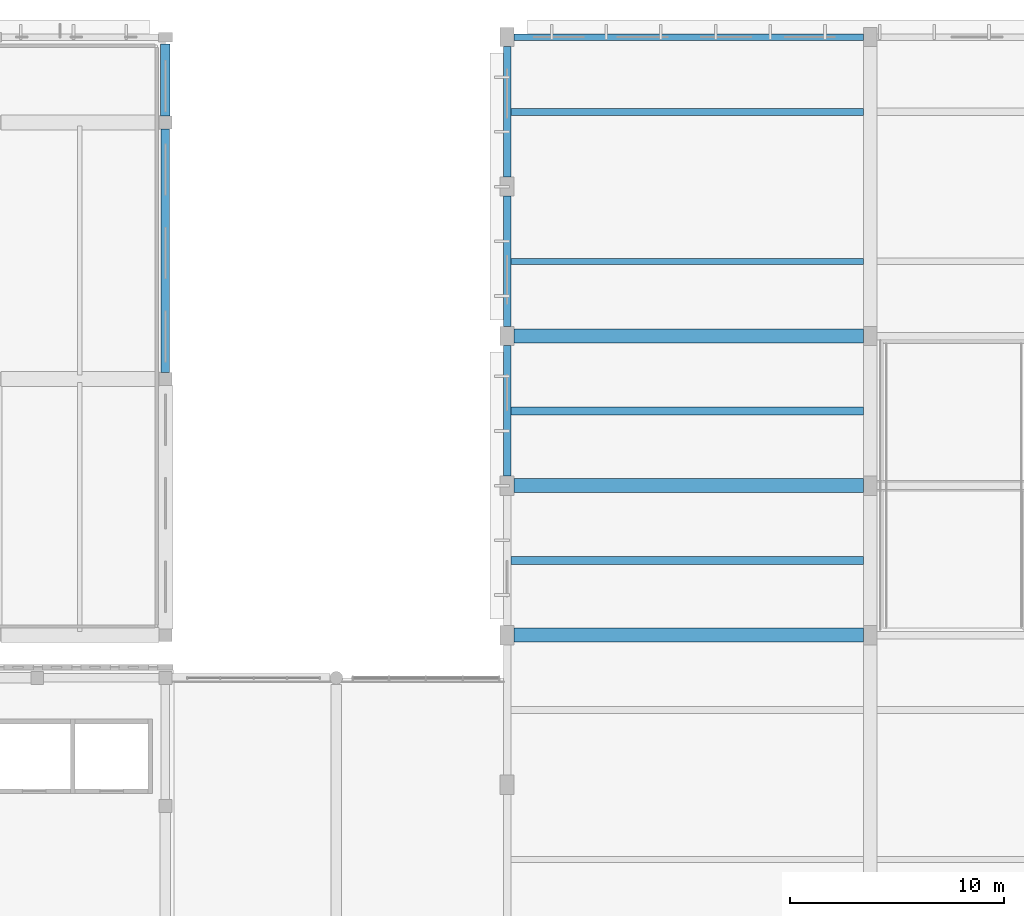
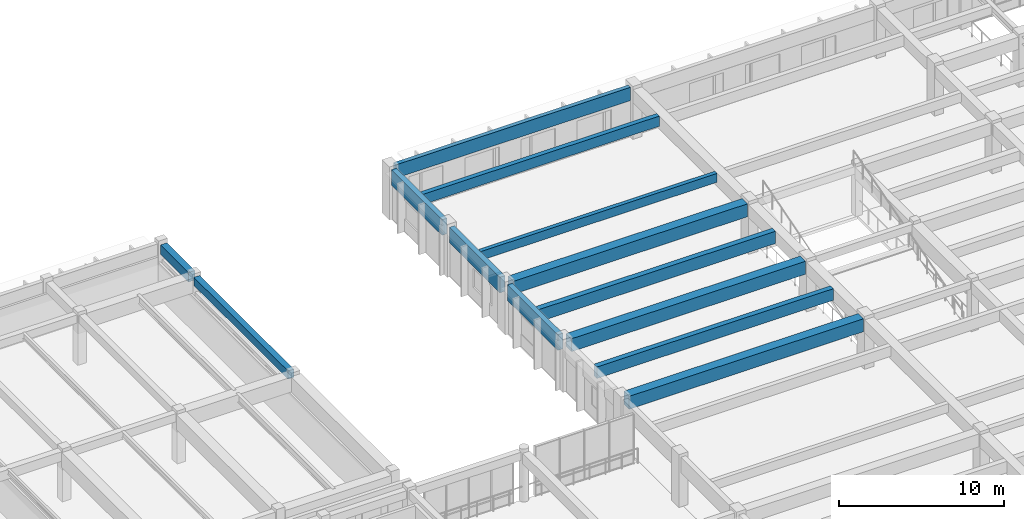
# One storey, part 25 of 98: 13 beams.
"""IFC4 building model written with IfcOpenShell, lengths in metres."""

from ifc_helpers import new_model, si_unit, direction, frame, origin, origin_2d, place, context, subcontext, project, spatial, rectangle, extrude, material, material_profile, profile_set, type_object, element, save


model = new_model("IFC4")

# Units and contexts
model_context = context("Model", 3, precision=1e-05, world=origin(), true_north=direction((0.0, 1.0)))
body_context = subcontext(model_context, "Body", "Model", "MODEL_VIEW")
ifc_project = project(units=[si_unit("LENGTHUNIT", "METRE"), si_unit("AREAUNIT", "SQUARE_METRE"), si_unit("VOLUMEUNIT", "CUBIC_METRE"), si_unit("PLANEANGLEUNIT", "RADIAN"), si_unit("MASSUNIT", "GRAM", prefix="KILO")], contexts=[model_context])

# Site, building, storey
site_placement = place(None, origin())
site = spatial("IfcSite", under=ifc_project, at=site_placement, CompositionType="ELEMENT")
building_placement = place(site_placement, origin())
building = spatial("IfcBuilding", under=site, at=building_placement, Name="Larkveld Mobility Hub", CompositionType="ELEMENT")
storey_placement = place(building_placement, frame((0.0, 0.0, 4.5)))
storey = spatial("IfcBuildingStorey", under=building, at=storey_placement, Name="L01", CompositionType="ELEMENT", Elevation=4.5)

# Beams
ifc_material_1 = material(Name="Precast concrete C50/60", Category="concrete")
ifc_material_profile_1 = material_profile(ifc_material_1, rectangle(XDim=0.280029296875, YDim=0.64990234375, at=origin_2d()), Name="PC DT 280x650")
ifc_profile_set_1 = profile_set([ifc_material_profile_1], Name="Precast concrete C50/60")
beam_type_1 = type_object("IfcBeamType", Name="BM-DT2865", PredefinedType="T_BEAM", material=ifc_profile_set_1)
beam_1_placement = place(storey_placement, frame((112.169921875, 115.5, 3.344970703125), z_axis=(1.0, 0.0, 0.0), x_axis=(0.0, 1.0, 0.0)))
element("IfcBeam", 1, at=beam_1_placement, inside=storey, type_object=beam_type_1, Name="Precast Double-Tee Stem L01-1076", PredefinedType="T_BEAM", context=body_context, shape_type="SweptSolid", body=[
    extrude(rectangle(XDim=0.280029296875, YDim=0.64990234375, at=origin_2d()), origin(), (0.0, 0.0, 1.0), 16.510009765625),
])
ifc_material_profile_2 = material_profile(ifc_material_1, rectangle(XDim=0.320068359375, YDim=0.75, at=origin_2d()), Name="PC DT 320x750")
ifc_profile_set_2 = profile_set([ifc_material_profile_2], Name="Precast concrete C50/60")
beam_type_2 = type_object("IfcBeamType", Name="BM-DT3275", PredefinedType="T_BEAM", material=ifc_profile_set_2)
beam_2_placement = place(storey_placement, frame((112.169921875, 122.5, 3.294921875), z_axis=(1.0, 0.0, 0.0), x_axis=(0.0, 1.0, 0.0)))
element("IfcBeam", 2, at=beam_2_placement, inside=storey, type_object=beam_type_2, Name="Precast Double-Tee Stem L01-1079", PredefinedType="T_BEAM", context=body_context, shape_type="SweptSolid", body=[
    extrude(rectangle(XDim=0.320068359375, YDim=0.75, at=origin_2d()), origin(), (0.0, 0.0, 1.0), 16.510009765625),
])
ifc_material_profile_3 = material_profile(ifc_material_1, rectangle(XDim=0.360107421875, YDim=0.85009765625, at=origin_2d()), Name="PC DT 360x850")
ifc_profile_set_3 = profile_set([ifc_material_profile_3], Name="Precast concrete C50/60")
beam_type_3 = type_object("IfcBeamType", Name="BM-DT3685", PredefinedType="T_BEAM", material=ifc_profile_set_3)
beam_3_placement = place(storey_placement, frame((112.169921875, 101.5, 3.2451171875), z_axis=(1.0, 0.0, 0.0), x_axis=(0.0, 1.0, 0.0)))
element("IfcBeam", 3, at=beam_3_placement, inside=storey, type_object=beam_type_3, Name="Precast Double-Tee Stem L01-1070", PredefinedType="T_BEAM", context=body_context, shape_type="SweptSolid", body=[
    extrude(rectangle(XDim=0.360107421875, YDim=0.85009765625, at=origin_2d()), origin(), (0.0, 0.0, 1.0), 16.510009765625),
])
ifc_material_profile_4 = material_profile(ifc_material_1, rectangle(XDim=0.3798828125, YDim=0.89990234375, at=origin_2d()), Name="PC DT 380x900")
ifc_profile_set_4 = profile_set([ifc_material_profile_4], Name="Precast concrete C50/60")
beam_type_4 = type_object("IfcBeamType", Name="BM-DT3890", PredefinedType="T_BEAM", material=ifc_profile_set_4)
beam_4_placement = place(storey_placement, frame((112.169921875, 108.5, 3.219970703125), z_axis=(1.0, 0.0, 0.0), x_axis=(0.0, 1.0, 0.0)))
element("IfcBeam", 4, at=beam_4_placement, inside=storey, type_object=beam_type_4, Name="Precast Double-Tee Stem L01-1073", PredefinedType="T_BEAM", context=body_context, shape_type="SweptSolid", body=[
    extrude(rectangle(XDim=0.3798828125, YDim=0.89990234375, at=origin_2d()), origin(), (0.0, 0.0, 1.0), 16.510009765625),
])
ifc_material_profile_5 = material_profile(ifc_material_1, rectangle(XDim=0.64990234375, YDim=0.949951171875, at=origin_2d()), Name="PC ITB 650x950")
ifc_profile_set_5 = profile_set([ifc_material_profile_5], Name="Precast concrete C50/60")
beam_type_5 = type_object("IfcBeamType", Name="BM-ITB6595", PredefinedType="T_BEAM", material=ifc_profile_set_5)
for number, where, z_axis, x_axis, name in (
    (5, (112.324951171875, 98.0, 3.18505859375), (1.0, 0.0, 0.0), (0.0, 1.0, 0.0), "Primary E-W Girder L01-0303"),
    (6, (112.324951171875, 105.0, 3.18505859375), (1.0, 0.0, 0.0), (0.0, 1.0, 0.0), "Primary E-W Girder L01-0307"),
    (7, (112.324951171875, 112.0, 3.18505859375), (1.0, 0.0, 0.0), (0.0, 1.0, 0.0), "Primary E-W Girder L01-0323"),
):
    element("IfcBeam", number, at=place(storey_placement, frame(where, z_axis=z_axis, x_axis=x_axis)), inside=storey, type_object=beam_type_5, Name=name, PredefinedType="T_BEAM", context=body_context, shape_type="SweptSolid", body=[
        extrude(rectangle(XDim=0.64990234375, YDim=0.949951171875, at=origin_2d()), origin(), (0.0, 0.0, 1.0), 16.35009765625),
    ])
ifc_material_2 = material(Name="Concrete C40/50", Category="concrete")
ifc_material_profile_6 = material_profile(ifc_material_2, rectangle(XDim=0.39990234375, YDim=0.60009765625, at=origin_2d()), Name="RC BM 400x600")
ifc_profile_set_6 = profile_set([ifc_material_profile_6], Name="Concrete C40/50")
beam_type_6 = type_object("IfcBeamType", Name="BM-RC4060", PredefinedType="BEAM", material=ifc_profile_set_6)
beam_5_placement = place(storey_placement, frame((96.0, 110.300048828125, 3.360107421875), z_axis=(0.0, 1.0, 0.0), x_axis=(-1.0, 0.0, 0.0)))
element("IfcBeam", 8, at=beam_5_placement, inside=storey, type_object=beam_type_6, Name="Primary N-S Girder L01-0391", PredefinedType="BEAM", context=body_context, shape_type="SweptSolid", body=[
    extrude(rectangle(XDim=0.39990234375, YDim=0.60009765625, at=origin_2d()), origin(), (0.0, 0.0, 1.0), 11.39990234375),
])
ifc_material_profile_7 = material_profile(ifc_material_2, rectangle(XDim=0.449951171875, YDim=0.699951171875, at=origin_2d()), Name="RC BM 450x700")
ifc_profile_set_7 = profile_set([ifc_material_profile_7], Name="Concrete C40/50")
beam_type_7 = type_object("IfcBeamType", Name="BM-RC4570", PredefinedType="BEAM", material=ifc_profile_set_7)
beam_6_placement = place(storey_placement, frame((96.0, 122.300048828125, 3.31005859375), z_axis=(0.0, 1.0, 0.0), x_axis=(-1.0, 0.0, 0.0)))
element("IfcBeam", 9, at=beam_6_placement, inside=storey, type_object=beam_type_7, Name="Primary N-S Girder L01-0392", PredefinedType="BEAM", context=body_context, shape_type="SweptSolid", body=[
    extrude(rectangle(XDim=0.449951171875, YDim=0.699951171875, at=origin_2d()), origin(), (0.0, 0.0, 1.0), 3.375),
])
ifc_material_profile_8 = material_profile(ifc_material_1, rectangle(XDim=0.300048828125, YDim=0.97998046875, at=origin_2d()), Name="PC SP 300x980")
ifc_profile_set_8 = profile_set([ifc_material_profile_8], Name="Precast concrete C50/60")
beam_type_8 = type_object("IfcBeamType", Name="BM-SP3098", PredefinedType="SPANDREL", material=ifc_profile_set_8)
beam_7_placement = place(storey_placement, frame((112.324951171875, 126.0, 3.169921875), z_axis=(1.0, 0.0, 0.0), x_axis=(0.0, 1.0, 0.0)))
element("IfcBeam", 10, at=beam_7_placement, inside=storey, type_object=beam_type_8, Name="Primary E-W Girder L01-0350", PredefinedType="SPANDREL", context=body_context, shape_type="SweptSolid", body=[
    extrude(rectangle(XDim=0.300048828125, YDim=0.97998046875, at=origin_2d()), origin(), (0.0, 0.0, 1.0), 16.35009765625),
])
ifc_material_profile_9 = material_profile(ifc_material_1, rectangle(XDim=0.35009765625, YDim=1.14990234375, at=origin_2d()), Name="PC SP 350x1150")
ifc_profile_set_9 = profile_set([ifc_material_profile_9], Name="Precast concrete C50/60")
beam_type_9 = type_object("IfcBeamType", Name="BM-SP35115", PredefinedType="SPANDREL", material=ifc_profile_set_9)
for number, where, z_axis, x_axis, name in (
    (11, (112.0, 105.449951171875, 3.0849609375), (0.0, 1.0, 0.0), (-1.0, 0.0, 0.0), "Primary N-S Girder L01-0408"),
    (12, (112.0, 112.449951171875, 3.0849609375), (0.0, 1.0, 0.0), (-1.0, 0.0, 0.0), "Primary N-S Girder L01-0409"),
    (13, (112.0, 119.449951171875, 3.0849609375), (0.0, 1.0, 0.0), (-1.0, 0.0, 0.0), "Primary N-S Girder L01-0410"),
):
    element("IfcBeam", number, at=place(storey_placement, frame(where, z_axis=z_axis, x_axis=x_axis)), inside=storey, type_object=beam_type_9, Name=name, PredefinedType="SPANDREL", context=body_context, shape_type="SweptSolid", body=[
        extrude(rectangle(XDim=0.35009765625, YDim=1.14990234375, at=origin_2d()), origin(), (0.0, 0.0, 1.0), 6.10009765625),
    ])

save(model, "model.ifc")
